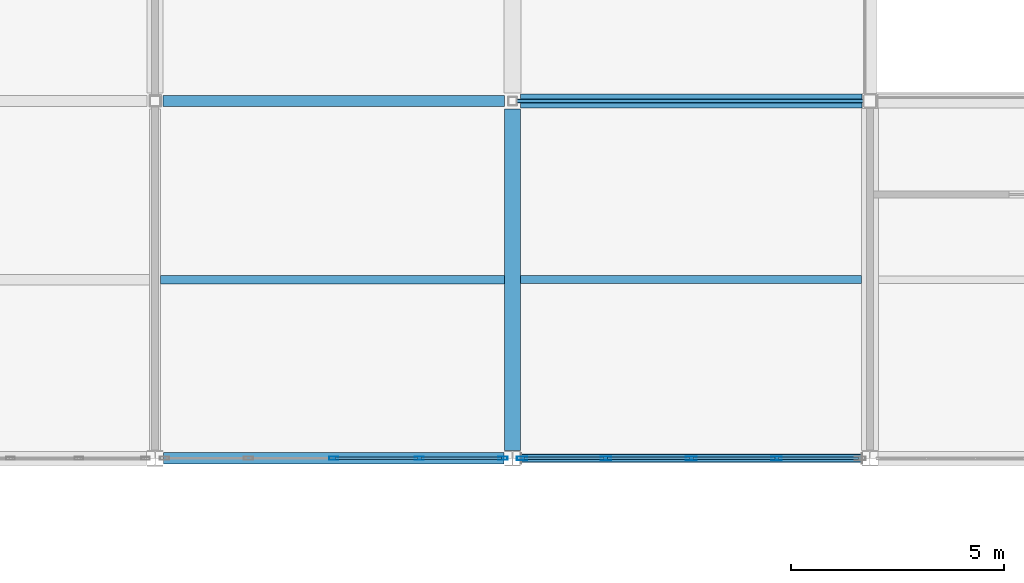
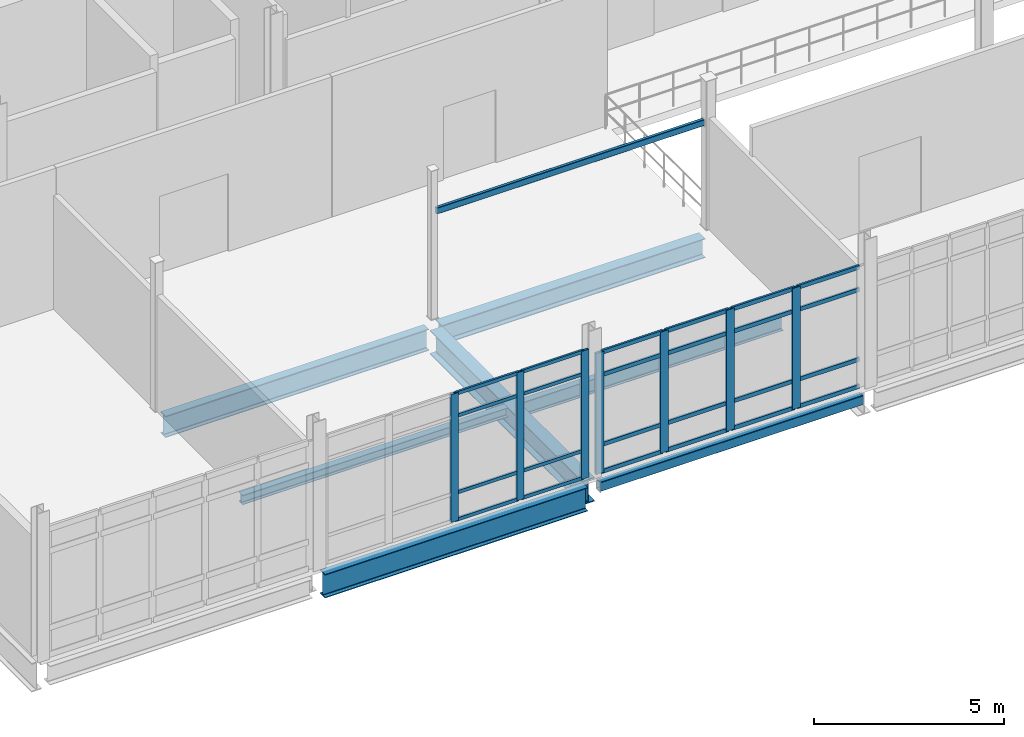
# One storey, part 17 of 72: 31 members, 8 beams, 2 elements without a shape of their own.
"""IFC4 building model written with IfcOpenShell, lengths in metres."""

from ifc_helpers import new_model, si_unit, direction, frame, origin, origin_2d, place, context, subcontext, project, spatial, hollow_rectangle, i_section, extrude, material, layer, layer_set, material_profile, profile_set, type_object, element, aggregate, save


model = new_model("IFC4")

# Units and contexts
model_context = context("Model", 3, precision=1e-05, world=origin(), true_north=direction((0.0, 1.0)))
body_context = subcontext(model_context, "Body", "Model", "MODEL_VIEW")
ifc_project = project(units=[si_unit("LENGTHUNIT", "METRE"), si_unit("AREAUNIT", "SQUARE_METRE"), si_unit("VOLUMEUNIT", "CUBIC_METRE"), si_unit("PLANEANGLEUNIT", "RADIAN"), si_unit("MASSUNIT", "GRAM", prefix="KILO")], contexts=[model_context])

# Site, building, storey
site_placement = place(None, origin())
site = spatial("IfcSite", under=ifc_project, at=site_placement, CompositionType="ELEMENT")
building_placement = place(site_placement, origin())
building = spatial("IfcBuilding", under=site, at=building_placement, Name="Calvrana Isthmian Art Gallery", CompositionType="ELEMENT")
storey_placement = place(building_placement, frame((0.0, 0.0, 15.0)))
storey = spatial("IfcBuildingStorey", under=building, at=storey_placement, Name="L03", CompositionType="ELEMENT", Elevation=15.0)

# Beams
ifc_material_1 = material(Name="Steel ASTM A992 Gr 50", Category="steel")
ifc_material_profile_1 = material_profile(ifc_material_1, i_section(OverallWidth=0.327880859375, OverallDepth=0.6220703125, WebThickness=0.015380859375, FlangeThickness=0.0244140625, FilletRadius=0.02197265625, at=origin_2d()), Name="W24X131")
ifc_profile_set_1 = profile_set([ifc_material_profile_1], Name="Steel ASTM A992 Gr 50")
beam_type_1 = type_object("IfcBeamType", Name="BM-G-W24X131", PredefinedType="BEAM", material=ifc_profile_set_1)
beam_1_placement = place(storey_placement, frame((38.58642578125, 30.0, -0.555908203125), z_axis=(1.0, 0.0, 0.0), x_axis=(0.0, 1.0, 0.0)))
element("IfcBeam", 1, at=beam_1_placement, inside=storey, type_object=beam_type_1, Name="Girder X L03 06-07/E", PredefinedType="BEAM", context=body_context, shape_type="SweptSolid", body=[
    extrude(i_section(OverallWidth=0.327880859375, OverallDepth=0.6220703125, WebThickness=0.015380859375, FlangeThickness=0.0244140625, FilletRadius=0.02197265625, at=origin_2d()), origin(), (0.0, 0.0, 1.0), 8.028076171875),
])
ifc_material_profile_2 = material_profile(ifc_material_1, i_section(OverallWidth=0.257080078125, OverallDepth=0.693115234375, WebThickness=0.014404296875, FlangeThickness=0.023681640625, FilletRadius=0.02392578125, at=origin_2d()), Name="W27X114")
ifc_profile_set_2 = profile_set([ifc_material_profile_2], Name="Steel ASTM A992 Gr 50")
beam_type_2 = type_object("IfcBeamType", Name="BM-G-W27X114", PredefinedType="BEAM", material=ifc_profile_set_2)
beam_2_placement = place(storey_placement, frame((30.1865234375, 30.0, -0.591552734375), z_axis=(1.0, 0.0, 0.0), x_axis=(0.0, 1.0, 0.0)))
element("IfcBeam", 2, at=beam_2_placement, inside=storey, type_object=beam_type_2, Name="Girder X L03 05-06/E", PredefinedType="BEAM", context=body_context, shape_type="SweptSolid", body=[
    extrude(i_section(OverallWidth=0.257080078125, OverallDepth=0.693115234375, WebThickness=0.014404296875, FlangeThickness=0.023681640625, FilletRadius=0.02392578125, at=origin_2d()), origin(), (0.0, 0.0, 1.0), 8.02685546875),
])
ifc_material_profile_3 = material_profile(ifc_material_1, i_section(OverallWidth=0.26708984375, OverallDepth=0.761962890625, WebThickness=0.014404296875, FlangeThickness=0.021484375, FilletRadius=0.02490234375, at=origin_2d()), Name="W30X116")
ifc_profile_set_3 = profile_set([ifc_material_profile_3], Name="Steel ASTM A992 Gr 50")
beam_type_3 = type_object("IfcBeamType", Name="BM-G-W30X116", PredefinedType="BEAM", material=ifc_profile_set_3)
beam_3_placement = place(storey_placement, frame((30.197998046875, 21.60009765625, -0.6259765625), z_axis=(1.0, 0.0, 0.0), x_axis=(0.0, 1.0, 0.0)))
element("IfcBeam", 3, at=beam_3_placement, inside=storey, type_object=beam_type_3, Name="Girder X L03 05-06/D", PredefinedType="BEAM", context=body_context, shape_type="SweptSolid", body=[
    extrude(i_section(OverallWidth=0.26708984375, OverallDepth=0.761962890625, WebThickness=0.014404296875, FlangeThickness=0.021484375, FilletRadius=0.02490234375, at=origin_2d()), origin(), (0.0, 0.0, 1.0), 8.0048828125),
])
ifc_material_profile_4 = material_profile(ifc_material_1, i_section(OverallWidth=0.381103515625, OverallDepth=0.77197265625, WebThickness=0.0166015625, FlangeThickness=0.027099609375, FilletRadius=0.02490234375, at=origin_2d()), Name="W30X173")
ifc_profile_set_4 = profile_set([ifc_material_profile_4], Name="Steel ASTM A992 Gr 50")
beam_type_4 = type_object("IfcBeamType", Name="BM-G-W30X173", PredefinedType="BEAM", material=ifc_profile_set_4)
beam_4_placement = place(storey_placement, frame((38.39990234375, 21.7880859375, -0.631103515625), z_axis=(0.0, 1.0, 0.0), x_axis=(-1.0, 0.0, 0.0)))
element("IfcBeam", 4, at=beam_4_placement, inside=storey, type_object=beam_type_4, Name="Girder Y L03 06/D-E", PredefinedType="BEAM", context=body_context, shape_type="SweptSolid", body=[
    extrude(i_section(OverallWidth=0.381103515625, OverallDepth=0.77197265625, WebThickness=0.0166015625, FlangeThickness=0.027099609375, FilletRadius=0.02490234375, at=origin_2d()), origin(), (0.0, 0.0, 1.0), 8.02783203125),
])
ifc_material_profile_5 = material_profile(ifc_material_1, i_section(OverallWidth=0.202880859375, OverallDepth=0.302001953125, WebThickness=0.007568359375, FlangeThickness=0.01318359375, FilletRadius=0.01611328125, at=origin_2d()), Name="W12X40")
ifc_profile_set_5 = profile_set([ifc_material_profile_5], Name="Steel ASTM A992 Gr 50")
beam_type_5 = type_object("IfcBeamType", Name="BM-J-W12X40", PredefinedType="JOIST", material=ifc_profile_set_5)
beam_5_placement = place(storey_placement, frame((30.12841796875, 25.800048828125, -0.39599609375), z_axis=(1.0, 0.0, 0.0), x_axis=(0.0, 1.0, 0.0)))
element("IfcBeam", 5, at=beam_5_placement, inside=storey, type_object=beam_type_5, Name="Composite joist L03 bay 04-03", PredefinedType="JOIST", context=body_context, shape_type="SweptSolid", body=[
    extrude(i_section(OverallWidth=0.202880859375, OverallDepth=0.302001953125, WebThickness=0.007568359375, FlangeThickness=0.01318359375, FilletRadius=0.01611328125, at=origin_2d()), origin(), (0.0, 0.0, 1.0), 8.0810546875),
])
ifc_material_profile_6 = material_profile(ifc_material_1, i_section(OverallWidth=0.19091796875, OverallDepth=0.45703125, WebThickness=0.009033203125, FlangeThickness=0.014404296875, FilletRadius=0.02001953125, at=origin_2d()), Name="W18X50")
ifc_profile_set_6 = profile_set([ifc_material_profile_6], Name="Steel ASTM A992 Gr 50")
beam_type_6 = type_object("IfcBeamType", Name="BM-J-W18X50", PredefinedType="JOIST", material=ifc_profile_set_6)
beam_6_placement = place(storey_placement, frame((38.590576171875, 25.800048828125, -0.473388671875), z_axis=(1.0, 0.0, 0.0), x_axis=(0.0, 1.0, 0.0)))
element("IfcBeam", 6, at=beam_6_placement, inside=storey, type_object=beam_type_6, Name="Composite joist L03 bay 05-03", PredefinedType="JOIST", context=body_context, shape_type="SweptSolid", body=[
    extrude(i_section(OverallWidth=0.19091796875, OverallDepth=0.45703125, WebThickness=0.009033203125, FlangeThickness=0.014404296875, FilletRadius=0.02001953125, at=origin_2d()), origin(), (0.0, 0.0, 1.0), 8.009033203125),
])
ifc_material_2 = material(Name="Steel ASTM A500 Gr C", Category="steel")
ifc_material_profile_7 = material_profile(ifc_material_2, hollow_rectangle(XDim=0.1015625, YDim=0.203125, WallThickness=0.009521484375, OuterFilletRadius=0.01904296875, at=origin_2d()), Name="HSS203X102X9.5")
ifc_profile_set_7 = profile_set([ifc_material_profile_7], Name="Steel ASTM A500 Gr C")
beam_type_7 = type_object("IfcBeamType", Name="BM-LN-HSS203", PredefinedType="LINTEL", material=ifc_profile_set_7)
beam_7_placement = place(storey_placement, frame((38.501708984375, 30.0, 3.39990234375), z_axis=(1.0, 0.0, 0.0), x_axis=(0.0, 1.0, 0.0)))
element("IfcBeam", 7, at=beam_7_placement, inside=storey, type_object=beam_type_7, Name="Portal lintel beam L03-09", PredefinedType="LINTEL", context=body_context, shape_type="SweptSolid", body=[
    extrude(hollow_rectangle(XDim=0.1015625, YDim=0.203125, WallThickness=0.009521484375, OuterFilletRadius=0.01904296875, at=origin_2d()), origin(), (0.0, 0.0, 1.0), 8.14599609375),
])
ifc_material_profile_8 = material_profile(ifc_material_2, hollow_rectangle(XDim=0.203125, YDim=0.3046875, WallThickness=0.0126953125, OuterFilletRadius=0.02490234375, at=origin_2d()), Name="HSS305X203X12.7")
ifc_profile_set_8 = profile_set([ifc_material_profile_8], Name="Steel ASTM A500 Gr C")
beam_type_8 = type_object("IfcBeamType", Name="BM-SP-HSS305", PredefinedType="SPANDREL", material=ifc_profile_set_8)
beam_8_placement = place(storey_placement, frame((38.596923828125, 21.60009765625, -0.3974609375), z_axis=(1.0, 0.0, 0.0), x_axis=(0.0, 1.0, 0.0)))
element("IfcBeam", 8, at=beam_8_placement, inside=storey, type_object=beam_type_8, Name="Girder X L03 06-07/D", PredefinedType="SPANDREL", context=body_context, shape_type="SweptSolid", body=[
    extrude(hollow_rectangle(XDim=0.203125, YDim=0.3046875, WallThickness=0.0126953125, OuterFilletRadius=0.02490234375, at=origin_2d()), origin(), (0.0, 0.0, 1.0), 8.0166015625),
])

# Curtain wall, members
ifc_material_3 = material(Name="Anodized bronze aluminium 6063-T6", Category="aluminium")
ifc_layer_1 = layer(ifc_material_3, 0.179931640625, Name="Anodized bronze aluminium 6063-T6")
ifc_layer_set_1 = layer_set([ifc_layer_1], Name="Anodized bronze aluminium 6063-T6")
curtain_wall_type_1 = type_object("IfcCurtainWallType", Name="CW-STICK-080X41", PredefinedType="NOTDEFINED", material=ifc_layer_set_1)
curtain_wall_1_placement = place(storey_placement, origin())
curtain_wall_1 = element("IfcCurtainWall", 9, at=curtain_wall_1_placement, inside=storey, type_object=curtain_wall_type_1, Name="Curtain wall CW-190", PredefinedType="NOTDEFINED")
ifc_material_profile_9 = material_profile(ifc_material_3, hollow_rectangle(XDim=0.074951171875, YDim=0.219970703125, WallThickness=0.0048828125, at=origin_2d()), Name="CWM75X220")
ifc_profile_set_9 = profile_set([ifc_material_profile_9], Name="Anodized bronze aluminium 6063-T6")
member_type_1 = type_object("IfcMemberType", Name="CWM-CWM75X220", PredefinedType="MULLION", material=ifc_profile_set_9)
member_1_placement = place(storey_placement, frame((38.176025390625, 21.60009765625, 0.0), z_axis=(0.0, 0.0, 1.0), x_axis=(0.0, -1.0, 0.0)))
member_1 = element("IfcMember", 10, at=member_1_placement, type_object=member_type_1, Name="CW-190 mullion 1", PredefinedType="MULLION", context=body_context, shape_type="SweptSolid", body=[
    extrude(hollow_rectangle(XDim=0.074951171875, YDim=0.219970703125, WallThickness=0.0048828125, at=origin_2d()), origin(), (0.0, 0.0, 1.0), 4.12109375),
])
member_2_placement = place(storey_placement, frame((36.206787109375, 21.60009765625, 0.0), z_axis=(0.0, 0.0, 1.0), x_axis=(0.0, -1.0, 0.0)))
member_2 = element("IfcMember", 11, at=member_2_placement, type_object=member_type_1, Name="CW-190 mullion 2", PredefinedType="MULLION", context=body_context, shape_type="SweptSolid", body=[
    extrude(hollow_rectangle(XDim=0.074951171875, YDim=0.219970703125, WallThickness=0.0048828125, at=origin_2d()), origin(), (0.0, 0.0, 1.0), 4.12109375),
])
member_3_placement = place(storey_placement, frame((34.199951171875, 21.60009765625, 0.0), z_axis=(0.0, 0.0, 1.0), x_axis=(0.0, -1.0, 0.0)))
member_3 = element("IfcMember", 12, at=member_3_placement, type_object=member_type_1, Name="CW-190 mullion 3", PredefinedType="MULLION", context=body_context, shape_type="SweptSolid", body=[
    extrude(hollow_rectangle(XDim=0.074951171875, YDim=0.219970703125, WallThickness=0.0048828125, at=origin_2d()), origin(), (0.0, 0.0, 1.0), 4.12109375),
])

ifc_layer_2 = layer(ifc_material_3, 0.179931640625, Name="Anodized bronze aluminium 6063-T6")
ifc_layer_set_2 = layer_set([ifc_layer_2], Name="Anodized bronze aluminium 6063-T6")
curtain_wall_type_2 = type_object("IfcCurtainWallType", Name="CW-STICK-080X39", PredefinedType="NOTDEFINED", material=ifc_layer_set_2)
curtain_wall_2_placement = place(storey_placement, origin())
curtain_wall_2 = element("IfcCurtainWall", 13, at=curtain_wall_2_placement, inside=storey, type_object=curtain_wall_type_2, Name="Curtain wall CW-191", PredefinedType="NOTDEFINED")
ifc_material_profile_10 = material_profile(ifc_material_3, hollow_rectangle(XDim=0.080078125, YDim=0.25, WallThickness=0.005615234375, at=origin_2d()), Name="CWM80X250")
ifc_profile_set_10 = profile_set([ifc_material_profile_10], Name="Anodized bronze aluminium 6063-T6")
member_type_2 = type_object("IfcMemberType", Name="CWM-CWM80X250", PredefinedType="MULLION", material=ifc_profile_set_10)
member_4_placement = place(storey_placement, frame((44.607421875, 21.60009765625, 0.0), z_axis=(0.0, 0.0, 1.0), x_axis=(0.0, -1.0, 0.0)))
member_4 = element("IfcMember", 14, at=member_4_placement, type_object=member_type_2, Name="CW-191 mullion 2", PredefinedType="MULLION", context=body_context, shape_type="SweptSolid", body=[
    extrude(hollow_rectangle(XDim=0.080078125, YDim=0.25, WallThickness=0.005615234375, at=origin_2d()), origin(), (0.0, 0.0, 1.0), 3.89794921875),
])
member_5_placement = place(storey_placement, frame((42.6005859375, 21.60009765625, 0.0), z_axis=(0.0, 0.0, 1.0), x_axis=(0.0, -1.0, 0.0)))
member_5 = element("IfcMember", 15, at=member_5_placement, type_object=member_type_2, Name="CW-191 mullion 3", PredefinedType="MULLION", context=body_context, shape_type="SweptSolid", body=[
    extrude(hollow_rectangle(XDim=0.080078125, YDim=0.25, WallThickness=0.005615234375, at=origin_2d()), origin(), (0.0, 0.0, 1.0), 3.89794921875),
])
member_6_placement = place(storey_placement, frame((40.593505859375, 21.60009765625, 0.0), z_axis=(0.0, 0.0, 1.0), x_axis=(0.0, -1.0, 0.0)))
member_6 = element("IfcMember", 16, at=member_6_placement, type_object=member_type_2, Name="CW-191 mullion 4", PredefinedType="MULLION", context=body_context, shape_type="SweptSolid", body=[
    extrude(hollow_rectangle(XDim=0.080078125, YDim=0.25, WallThickness=0.005615234375, at=origin_2d()), origin(), (0.0, 0.0, 1.0), 3.89794921875),
])
member_7_placement = place(storey_placement, frame((38.62646484375, 21.60009765625, 0.0), z_axis=(0.0, 0.0, 1.0), x_axis=(0.0, -1.0, 0.0)))
member_7 = element("IfcMember", 17, at=member_7_placement, type_object=member_type_2, Name="CW-191 mullion 5", PredefinedType="MULLION", context=body_context, shape_type="SweptSolid", body=[
    extrude(hollow_rectangle(XDim=0.080078125, YDim=0.25, WallThickness=0.005615234375, at=origin_2d()), origin(), (0.0, 0.0, 1.0), 3.89794921875),
])

# Member
ifc_material_profile_11 = material_profile(ifc_material_3, hollow_rectangle(XDim=0.06005859375, YDim=0.110107421875, WallThickness=0.00341796875, at=origin_2d()), Name="CWT60X110")
ifc_profile_set_11 = profile_set([ifc_material_profile_11], Name="Anodized bronze aluminium 6063-T6")
member_type_3 = type_object("IfcMemberType", Name="CWT-CWT60X110", PredefinedType="USERDEFINED", material=ifc_profile_set_11)
member_8_placement = place(storey_placement, frame((38.138427734375, 21.60009765625, 0.030029296875), z_axis=(-1.0, 0.0, 0.0), x_axis=(0.0, -1.0, 0.0)))
member_8 = element("IfcMember", 18, at=member_8_placement, type_object=member_type_3, Name="CW-190 transom 1.1", ObjectType="TRANSOM", PredefinedType="USERDEFINED", context=body_context, shape_type="SweptSolid", body=[
    extrude(hollow_rectangle(XDim=0.06005859375, YDim=0.110107421875, WallThickness=0.00341796875, at=origin_2d()), origin(), (0.0, 0.0, 1.0), 1.894287109375),
])

member_9_placement = place(storey_placement, frame((38.138427734375, 21.60009765625, 0.89990234375), z_axis=(-1.0, 0.0, 0.0), x_axis=(0.0, -1.0, 0.0)))
member_9 = element("IfcMember", 19, at=member_9_placement, type_object=member_type_3, Name="CW-190 transom 1.2", ObjectType="TRANSOM", PredefinedType="USERDEFINED", context=body_context, shape_type="SweptSolid", body=[
    extrude(hollow_rectangle(XDim=0.06005859375, YDim=0.110107421875, WallThickness=0.00341796875, at=origin_2d()), origin(), (0.0, 0.0, 1.0), 1.894287109375),
])

member_10_placement = place(storey_placement, frame((38.138427734375, 21.60009765625, 3.37109375), z_axis=(-1.0, 0.0, 0.0), x_axis=(0.0, -1.0, 0.0)))
member_10 = element("IfcMember", 20, at=member_10_placement, type_object=member_type_3, Name="CW-190 transom 1.3", ObjectType="TRANSOM", PredefinedType="USERDEFINED", context=body_context, shape_type="SweptSolid", body=[
    extrude(hollow_rectangle(XDim=0.06005859375, YDim=0.110107421875, WallThickness=0.00341796875, at=origin_2d()), origin(), (0.0, 0.0, 1.0), 1.894287109375),
])

member_11_placement = place(storey_placement, frame((38.138427734375, 21.60009765625, 4.091064453125), z_axis=(-1.0, 0.0, 0.0), x_axis=(0.0, -1.0, 0.0)))
member_11 = element("IfcMember", 21, at=member_11_placement, type_object=member_type_3, Name="CW-190 transom 1.4", ObjectType="TRANSOM", PredefinedType="USERDEFINED", context=body_context, shape_type="SweptSolid", body=[
    extrude(hollow_rectangle(XDim=0.06005859375, YDim=0.110107421875, WallThickness=0.00341796875, at=origin_2d()), origin(), (0.0, 0.0, 1.0), 1.894287109375),
])

member_12_placement = place(storey_placement, frame((36.169189453125, 21.60009765625, 0.030029296875), z_axis=(-1.0, 0.0, 0.0), x_axis=(0.0, -1.0, 0.0)))
member_12 = element("IfcMember", 22, at=member_12_placement, type_object=member_type_3, Name="CW-190 transom 2.1", ObjectType="TRANSOM", PredefinedType="USERDEFINED", context=body_context, shape_type="SweptSolid", body=[
    extrude(hollow_rectangle(XDim=0.06005859375, YDim=0.110107421875, WallThickness=0.00341796875, at=origin_2d()), origin(), (0.0, 0.0, 1.0), 1.931640625),
])

member_13_placement = place(storey_placement, frame((36.169189453125, 21.60009765625, 0.89990234375), z_axis=(-1.0, 0.0, 0.0), x_axis=(0.0, -1.0, 0.0)))
member_13 = element("IfcMember", 23, at=member_13_placement, type_object=member_type_3, Name="CW-190 transom 2.2", ObjectType="TRANSOM", PredefinedType="USERDEFINED", context=body_context, shape_type="SweptSolid", body=[
    extrude(hollow_rectangle(XDim=0.06005859375, YDim=0.110107421875, WallThickness=0.00341796875, at=origin_2d()), origin(), (0.0, 0.0, 1.0), 1.931640625),
])

member_14_placement = place(storey_placement, frame((36.169189453125, 21.60009765625, 3.37109375), z_axis=(-1.0, 0.0, 0.0), x_axis=(0.0, -1.0, 0.0)))
member_14 = element("IfcMember", 24, at=member_14_placement, type_object=member_type_3, Name="CW-190 transom 2.3", ObjectType="TRANSOM", PredefinedType="USERDEFINED", context=body_context, shape_type="SweptSolid", body=[
    extrude(hollow_rectangle(XDim=0.06005859375, YDim=0.110107421875, WallThickness=0.00341796875, at=origin_2d()), origin(), (0.0, 0.0, 1.0), 1.931640625),
])

member_15_placement = place(storey_placement, frame((36.169189453125, 21.60009765625, 4.091064453125), z_axis=(-1.0, 0.0, 0.0), x_axis=(0.0, -1.0, 0.0)))
member_15 = element("IfcMember", 25, at=member_15_placement, type_object=member_type_3, Name="CW-190 transom 2.4", ObjectType="TRANSOM", PredefinedType="USERDEFINED", context=body_context, shape_type="SweptSolid", body=[
    extrude(hollow_rectangle(XDim=0.06005859375, YDim=0.110107421875, WallThickness=0.00341796875, at=origin_2d()), origin(), (0.0, 0.0, 1.0), 1.931640625),
])

aggregate(curtain_wall_1, [member_1, member_2, member_3, member_8, member_9, member_10, member_11, member_12, member_13, member_14, member_15])

ifc_material_profile_12 = material_profile(ifc_material_3, hollow_rectangle(XDim=0.06005859375, YDim=0.1298828125, WallThickness=0.00390625, at=origin_2d()), Name="CWT60X130")
ifc_profile_set_12 = profile_set([ifc_material_profile_12], Name="Anodized bronze aluminium 6063-T6")
member_type_4 = type_object("IfcMemberType", Name="CWT-CWT60X130", PredefinedType="USERDEFINED", material=ifc_profile_set_12)
member_16_placement = place(storey_placement, frame((46.534423828125, 21.60009765625, 0.030029296875), z_axis=(-1.0, 0.0, 0.0), x_axis=(0.0, -1.0, 0.0)))
member_16 = element("IfcMember", 26, at=member_16_placement, type_object=member_type_4, Name="CW-191 transom 1.1", ObjectType="TRANSOM", PredefinedType="USERDEFINED", context=body_context, shape_type="SweptSolid", body=[
    extrude(hollow_rectangle(XDim=0.06005859375, YDim=0.1298828125, WallThickness=0.00390625, at=origin_2d()), origin(), (0.0, 0.0, 1.0), 1.886962890625),
])

member_17_placement = place(storey_placement, frame((46.534423828125, 21.60009765625, 0.89990234375), z_axis=(-1.0, 0.0, 0.0), x_axis=(0.0, -1.0, 0.0)))
member_17 = element("IfcMember", 27, at=member_17_placement, type_object=member_type_4, Name="CW-191 transom 1.2", ObjectType="TRANSOM", PredefinedType="USERDEFINED", context=body_context, shape_type="SweptSolid", body=[
    extrude(hollow_rectangle(XDim=0.06005859375, YDim=0.1298828125, WallThickness=0.00390625, at=origin_2d()), origin(), (0.0, 0.0, 1.0), 1.886962890625),
])

member_18_placement = place(storey_placement, frame((46.534423828125, 21.60009765625, 3.14794921875), z_axis=(-1.0, 0.0, 0.0), x_axis=(0.0, -1.0, 0.0)))
member_18 = element("IfcMember", 28, at=member_18_placement, type_object=member_type_4, Name="CW-191 transom 1.3", ObjectType="TRANSOM", PredefinedType="USERDEFINED", context=body_context, shape_type="SweptSolid", body=[
    extrude(hollow_rectangle(XDim=0.06005859375, YDim=0.1298828125, WallThickness=0.00390625, at=origin_2d()), origin(), (0.0, 0.0, 1.0), 1.886962890625),
])

member_19_placement = place(storey_placement, frame((46.534423828125, 21.60009765625, 3.867919921875), z_axis=(-1.0, 0.0, 0.0), x_axis=(0.0, -1.0, 0.0)))
member_19 = element("IfcMember", 29, at=member_19_placement, type_object=member_type_4, Name="CW-191 transom 1.4", ObjectType="TRANSOM", PredefinedType="USERDEFINED", context=body_context, shape_type="SweptSolid", body=[
    extrude(hollow_rectangle(XDim=0.06005859375, YDim=0.1298828125, WallThickness=0.00390625, at=origin_2d()), origin(), (0.0, 0.0, 1.0), 1.886962890625),
])

member_20_placement = place(storey_placement, frame((44.5673828125, 21.60009765625, 0.030029296875), z_axis=(-1.0, 0.0, 0.0), x_axis=(0.0, -1.0, 0.0)))
member_20 = element("IfcMember", 30, at=member_20_placement, type_object=member_type_4, Name="CW-191 transom 2.1", ObjectType="TRANSOM", PredefinedType="USERDEFINED", context=body_context, shape_type="SweptSolid", body=[
    extrude(hollow_rectangle(XDim=0.06005859375, YDim=0.1298828125, WallThickness=0.00390625, at=origin_2d()), origin(), (0.0, 0.0, 1.0), 1.927001953125),
])

member_21_placement = place(storey_placement, frame((44.5673828125, 21.60009765625, 0.89990234375), z_axis=(-1.0, 0.0, 0.0), x_axis=(0.0, -1.0, 0.0)))
member_21 = element("IfcMember", 31, at=member_21_placement, type_object=member_type_4, Name="CW-191 transom 2.2", ObjectType="TRANSOM", PredefinedType="USERDEFINED", context=body_context, shape_type="SweptSolid", body=[
    extrude(hollow_rectangle(XDim=0.06005859375, YDim=0.1298828125, WallThickness=0.00390625, at=origin_2d()), origin(), (0.0, 0.0, 1.0), 1.927001953125),
])

member_22_placement = place(storey_placement, frame((44.5673828125, 21.60009765625, 3.14794921875), z_axis=(-1.0, 0.0, 0.0), x_axis=(0.0, -1.0, 0.0)))
member_22 = element("IfcMember", 32, at=member_22_placement, type_object=member_type_4, Name="CW-191 transom 2.3", ObjectType="TRANSOM", PredefinedType="USERDEFINED", context=body_context, shape_type="SweptSolid", body=[
    extrude(hollow_rectangle(XDim=0.06005859375, YDim=0.1298828125, WallThickness=0.00390625, at=origin_2d()), origin(), (0.0, 0.0, 1.0), 1.927001953125),
])

member_23_placement = place(storey_placement, frame((44.5673828125, 21.60009765625, 3.867919921875), z_axis=(-1.0, 0.0, 0.0), x_axis=(0.0, -1.0, 0.0)))
member_23 = element("IfcMember", 33, at=member_23_placement, type_object=member_type_4, Name="CW-191 transom 2.4", ObjectType="TRANSOM", PredefinedType="USERDEFINED", context=body_context, shape_type="SweptSolid", body=[
    extrude(hollow_rectangle(XDim=0.06005859375, YDim=0.1298828125, WallThickness=0.00390625, at=origin_2d()), origin(), (0.0, 0.0, 1.0), 1.927001953125),
])

member_24_placement = place(storey_placement, frame((42.560546875, 21.60009765625, 0.030029296875), z_axis=(-1.0, 0.0, 0.0), x_axis=(0.0, -1.0, 0.0)))
member_24 = element("IfcMember", 34, at=member_24_placement, type_object=member_type_4, Name="CW-191 transom 3.1", ObjectType="TRANSOM", PredefinedType="USERDEFINED", context=body_context, shape_type="SweptSolid", body=[
    extrude(hollow_rectangle(XDim=0.06005859375, YDim=0.1298828125, WallThickness=0.00390625, at=origin_2d()), origin(), (0.0, 0.0, 1.0), 1.927001953125),
])

member_25_placement = place(storey_placement, frame((42.560546875, 21.60009765625, 0.89990234375), z_axis=(-1.0, 0.0, 0.0), x_axis=(0.0, -1.0, 0.0)))
member_25 = element("IfcMember", 35, at=member_25_placement, type_object=member_type_4, Name="CW-191 transom 3.2", ObjectType="TRANSOM", PredefinedType="USERDEFINED", context=body_context, shape_type="SweptSolid", body=[
    extrude(hollow_rectangle(XDim=0.06005859375, YDim=0.1298828125, WallThickness=0.00390625, at=origin_2d()), origin(), (0.0, 0.0, 1.0), 1.927001953125),
])

member_26_placement = place(storey_placement, frame((42.560546875, 21.60009765625, 3.14794921875), z_axis=(-1.0, 0.0, 0.0), x_axis=(0.0, -1.0, 0.0)))
member_26 = element("IfcMember", 36, at=member_26_placement, type_object=member_type_4, Name="CW-191 transom 3.3", ObjectType="TRANSOM", PredefinedType="USERDEFINED", context=body_context, shape_type="SweptSolid", body=[
    extrude(hollow_rectangle(XDim=0.06005859375, YDim=0.1298828125, WallThickness=0.00390625, at=origin_2d()), origin(), (0.0, 0.0, 1.0), 1.927001953125),
])

member_27_placement = place(storey_placement, frame((42.560546875, 21.60009765625, 3.867919921875), z_axis=(-1.0, 0.0, 0.0), x_axis=(0.0, -1.0, 0.0)))
member_27 = element("IfcMember", 37, at=member_27_placement, type_object=member_type_4, Name="CW-191 transom 3.4", ObjectType="TRANSOM", PredefinedType="USERDEFINED", context=body_context, shape_type="SweptSolid", body=[
    extrude(hollow_rectangle(XDim=0.06005859375, YDim=0.1298828125, WallThickness=0.00390625, at=origin_2d()), origin(), (0.0, 0.0, 1.0), 1.927001953125),
])

member_28_placement = place(storey_placement, frame((40.553466796875, 21.60009765625, 0.030029296875), z_axis=(-1.0, 0.0, 0.0), x_axis=(0.0, -1.0, 0.0)))
member_28 = element("IfcMember", 38, at=member_28_placement, type_object=member_type_4, Name="CW-191 transom 4.1", ObjectType="TRANSOM", PredefinedType="USERDEFINED", context=body_context, shape_type="SweptSolid", body=[
    extrude(hollow_rectangle(XDim=0.06005859375, YDim=0.1298828125, WallThickness=0.00390625, at=origin_2d()), origin(), (0.0, 0.0, 1.0), 1.886962890625),
])

member_29_placement = place(storey_placement, frame((40.553466796875, 21.60009765625, 0.89990234375), z_axis=(-1.0, 0.0, 0.0), x_axis=(0.0, -1.0, 0.0)))
member_29 = element("IfcMember", 39, at=member_29_placement, type_object=member_type_4, Name="CW-191 transom 4.2", ObjectType="TRANSOM", PredefinedType="USERDEFINED", context=body_context, shape_type="SweptSolid", body=[
    extrude(hollow_rectangle(XDim=0.06005859375, YDim=0.1298828125, WallThickness=0.00390625, at=origin_2d()), origin(), (0.0, 0.0, 1.0), 1.886962890625),
])

member_30_placement = place(storey_placement, frame((40.553466796875, 21.60009765625, 3.14794921875), z_axis=(-1.0, 0.0, 0.0), x_axis=(0.0, -1.0, 0.0)))
member_30 = element("IfcMember", 40, at=member_30_placement, type_object=member_type_4, Name="CW-191 transom 4.3", ObjectType="TRANSOM", PredefinedType="USERDEFINED", context=body_context, shape_type="SweptSolid", body=[
    extrude(hollow_rectangle(XDim=0.06005859375, YDim=0.1298828125, WallThickness=0.00390625, at=origin_2d()), origin(), (0.0, 0.0, 1.0), 1.886962890625),
])

member_31_placement = place(storey_placement, frame((40.553466796875, 21.60009765625, 3.867919921875), z_axis=(-1.0, 0.0, 0.0), x_axis=(0.0, -1.0, 0.0)))
member_31 = element("IfcMember", 41, at=member_31_placement, type_object=member_type_4, Name="CW-191 transom 4.4", ObjectType="TRANSOM", PredefinedType="USERDEFINED", context=body_context, shape_type="SweptSolid", body=[
    extrude(hollow_rectangle(XDim=0.06005859375, YDim=0.1298828125, WallThickness=0.00390625, at=origin_2d()), origin(), (0.0, 0.0, 1.0), 1.886962890625),
])

aggregate(curtain_wall_2, [member_4, member_5, member_6, member_7, member_16, member_17, member_18, member_19, member_20, member_21, member_22, member_23, member_24, member_25, member_26, member_27, member_28, member_29, member_30, member_31])

save(model, "model.ifc")
